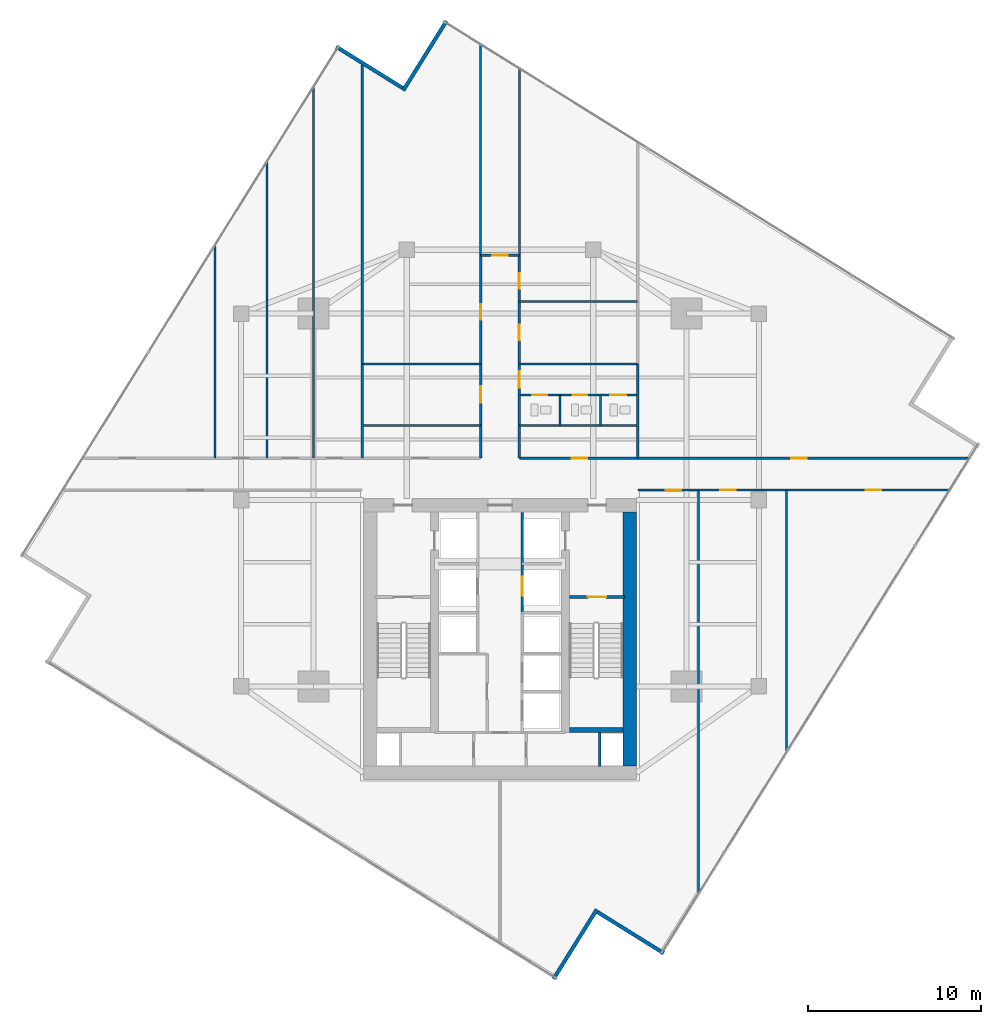
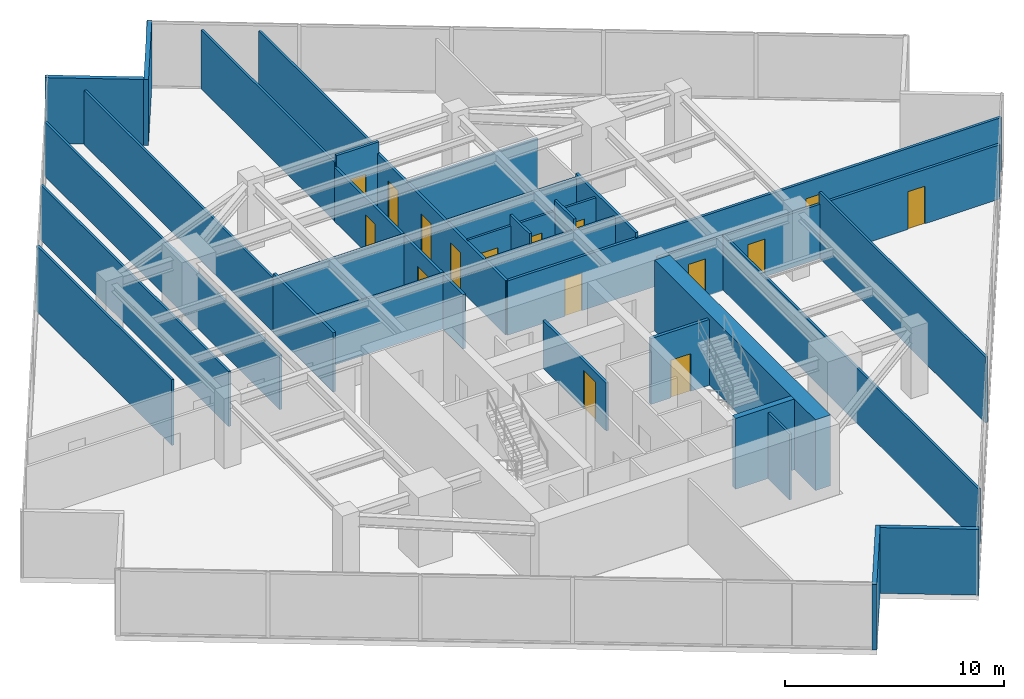
# One storey, part 22 of 26: 32 walls, 16 doors, 16 openings.
"""IFC4 building model written with IfcOpenShell, lengths in metres."""

import ifcopenshell
import ifcopenshell.guid

model = None  # the IFC model being written
_history = None  # IfcOwnerHistory: only IFC2X3 demands one
_inside = {}  # id of a spatial element -> (the spatial element, [elements in it])
_under = {}  # id of a project, library or spatial element -> (it, [spatial elements below it])
_declared = {}  # id of a project -> (the project, [libraries it declares])
_typed = {}  # id of a type object -> (the type object, [elements of that type])
_made_of = {}  # id of a material, layer set ... -> (it, [elements and type objects made of it])


def new_model(schema):
    """Start an empty IFC model of exactly this schema.

    Asked for "IFC4X3", IfcOpenShell would pick the latest addendum, in which some entities
    have other attributes; the version numbers below select the first issue.
    IFC2X3 requires an IfcOwnerHistory on every rooted entity: one is made here for all.
    """
    global model, _history
    if schema == "IFC4X3":
        model = ifcopenshell.file(schema_version=(4, 3, 0, 0))
    else:
        model = ifcopenshell.file(schema=schema)
    _inside.clear()
    _under.clear()
    _declared.clear()
    _typed.clear()
    _made_of.clear()
    _history = None
    if model.schema == "IFC2X3":
        org = make("IfcOrganization", Name="unknown")
        user = make(
            "IfcPersonAndOrganization",
            ThePerson=make("IfcPerson", FamilyName="unknown"),
            TheOrganization=org,
        )
        app = make(
            "IfcApplication",
            ApplicationDeveloper=org,
            Version="unknown",
            ApplicationFullName="unknown",
            ApplicationIdentifier="unknown",
        )
        _history = make(
            "IfcOwnerHistory",
            OwningUser=user,
            OwningApplication=app,
            ChangeAction="ADDED",
            CreationDate=0,
        )
    return model


def make(cls, **values):
    """One entity of the class cls with the attributes given. An attribute that is None is left unset."""
    return model.create_entity(
        cls, **{name: value for name, value in values.items() if value is not None}
    )


def rooted(cls, **values):
    """An entity with a GlobalId (a new one), such as an element, a storey or a relation."""
    return make(cls, GlobalId=ifcopenshell.guid.new(), OwnerHistory=_history, **values)


def si_unit(unit_type, name, prefix=None):
    """IfcSIUnit, for example si_unit("LENGTHUNIT", "METRE", prefix="MILLI")."""
    return make("IfcSIUnit", UnitType=unit_type, Prefix=prefix, Name=name)


def assignment(units):
    """IfcUnitAssignment: the units of a project."""
    return None if units is None else make("IfcUnitAssignment", Units=units)


def point(xyz):
    """IfcCartesianPoint."""
    return None if xyz is None else make("IfcCartesianPoint", Coordinates=xyz)


def direction(xyz):
    """IfcDirection."""
    return None if xyz is None else make("IfcDirection", DirectionRatios=xyz)


def frame(location, z_axis=None, x_axis=None):
    """IfcAxis2Placement3D, a coordinate frame: its origin and axes. An axis left out is left unset."""
    return make(
        "IfcAxis2Placement3D",
        Location=point(location),
        Axis=direction(z_axis),
        RefDirection=direction(x_axis),
    )


def frame_2d(location, x_axis=None):
    """IfcAxis2Placement2D, a coordinate frame in the plane: its origin and x axis."""
    return make(
        "IfcAxis2Placement2D", Location=point(location), RefDirection=direction(x_axis)
    )


def origin():
    """The frame at (0, 0, 0) with its axes left unset."""
    return frame((0.0, 0.0, 0.0))


def place(relative_to, where):
    """IfcLocalPlacement: puts the frame where relative to a parent placement (None: the world)."""
    return make(
        "IfcLocalPlacement", PlacementRelTo=relative_to, RelativePlacement=where
    )


def context(
    kind, dimensions, precision=None, world=None, true_north=None, identifier=None
):
    """IfcGeometricRepresentationContext, for example the 3D "Model" context."""
    return make(
        "IfcGeometricRepresentationContext",
        ContextIdentifier=identifier,
        ContextType=kind,
        CoordinateSpaceDimension=dimensions,
        Precision=precision,
        WorldCoordinateSystem=world,
        TrueNorth=true_north,
    )


def subcontext(parent, identifier, kind, view, scale=None):
    """IfcGeometricRepresentationSubContext, for example "Body" below "Model"."""
    return make(
        "IfcGeometricRepresentationSubContext",
        ContextIdentifier=identifier,
        ContextType=kind,
        ParentContext=parent,
        TargetScale=scale,
        TargetView=view,
    )


def project(units=None, contexts=None):
    """IfcProject with its units and contexts."""
    return rooted(
        "IfcProject",
        Name="project",
        RepresentationContexts=contexts,
        UnitsInContext=assignment(units),
    )


def spatial(cls, under=None, at=None, **own):
    """A site, building, storey or space (cls), placed at a placement, below another one or the project."""
    s = rooted(cls, ObjectPlacement=at, **own)
    if under is not None:
        _under.setdefault(under.id(), (under, []))[1].append(s)
    return s


def profile(cls, at=None, kind="AREA", **sizes):
    """A parametric profile (cls). Its sizes go by their IFC names, for example OverallWidth=200.0."""
    return make(cls, ProfileType=kind, Position=at, **sizes)


def rectangle(**sizes):
    """IfcRectangleProfileDef."""
    return profile("IfcRectangleProfileDef", **sizes)


def extrude(swept, where, along, depth):
    """IfcExtrudedAreaSolid: the profile swept, set in the frame where, extruded along a direction by depth."""
    return make(
        "IfcExtrudedAreaSolid",
        SweptArea=swept,
        Position=where,
        ExtrudedDirection=direction(along),
        Depth=depth,
    )


def shape(context_of_items, identifier, shape_type, items):
    """IfcShapeRepresentation: the items that make up one representation, for example the "Body"."""
    return make(
        "IfcShapeRepresentation",
        ContextOfItems=context_of_items,
        RepresentationIdentifier=identifier,
        RepresentationType=shape_type,
        Items=items,
    )


def material(Name=None, Category=None):
    """IfcMaterial."""
    return make("IfcMaterial", Name=Name, Category=Category)


def layer(
    of_material, thickness, ventilated=None, Name=None, Category=None, Priority=None
):
    """IfcMaterialLayer: one layer of a wall or slab, of a material (None: an air gap)."""
    return make(
        "IfcMaterialLayer",
        Material=of_material,
        LayerThickness=thickness,
        IsVentilated=ventilated,
        Name=Name,
        Category=Category,
        Priority=Priority,
    )


def layer_set(layers, Name=None):
    """IfcMaterialLayerSet."""
    return make("IfcMaterialLayerSet", MaterialLayers=layers, LayerSetName=Name)


def made_of(thing, what):
    """Note that an element or type object is made of a material, layer set ...; save() writes the relation."""
    if what is not None:
        _made_of.setdefault(what.id(), (what, []))[1].append(thing)
    return thing


def type_object(cls, material=None, **own):
    """A type object (cls), such as IfcWallType, which elements share."""
    return made_of(rooted(cls, **own), material)


def element(
    cls,
    number,
    at=None,
    inside=None,
    cuts=None,
    type_object=None,
    material=None,
    context=None,
    identifier="Body",
    shape_type=None,
    held_by="IfcProductDefinitionShape",
    body=None,
    shapes=None,
    **own,
):
    """One element of the class cls, such as IfcWall. Its Tag is "e" and its number.

    at: its placement. inside: the storey or other place that contains it. cuts: it is an
    opening in that element (IfcRelVoidsElement). A single representation is given by context,
    identifier, shape_type and body (its items); several are given by shapes. held_by: the class
    of the entity that holds the representations. save() writes the other relations.
    """
    e = rooted(cls, Tag="e%d" % number, ObjectPlacement=at, **own)
    if body is not None:
        shapes = [shape(context, identifier, shape_type, body)]
    if shapes is not None:
        e.Representation = make(held_by, Representations=shapes)
    if inside is not None:
        _inside.setdefault(inside.id(), (inside, []))[1].append(e)
    if cuts is not None:
        rooted(
            "IfcRelVoidsElement", RelatingBuildingElement=cuts, RelatedOpeningElement=e
        )
    if type_object is not None:
        _typed.setdefault(type_object.id(), (type_object, []))[1].append(e)
    return made_of(e, material)


def fill(opening, filler):
    """IfcRelFillsElement: the door or window that sits in an opening."""
    return rooted(
        "IfcRelFillsElement",
        RelatingOpeningElement=opening,
        RelatedBuildingElement=filler,
    )


def aggregate(whole, parts):
    """IfcRelAggregates: a whole, such as a stair, and the parts it consists of."""
    return rooted("IfcRelAggregates", RelatingObject=whole, RelatedObjects=parts)


def save(model, path):
    """Write the relations noted so far, then the file.

    IfcRelAggregates (storeys below a building ...), IfcRelContainedInSpatialStructure (elements
    in a storey), IfcRelDefinesByType, IfcRelAssociatesMaterial and IfcRelDeclares: one each for
    every whole, place, type object, material and project.
    """
    for whole, parts in _under.values():
        aggregate(whole, parts)
    for where, things in _inside.values():
        rooted(
            "IfcRelContainedInSpatialStructure",
            RelatedElements=things,
            RelatingStructure=where,
        )
    for kind, things in _typed.values():
        rooted("IfcRelDefinesByType", RelatedObjects=things, RelatingType=kind)
    for what, things in _made_of.values():
        rooted("IfcRelAssociatesMaterial", RelatedObjects=things, RelatingMaterial=what)
    for by, libraries in _declared.values():
        rooted("IfcRelDeclares", RelatingContext=by, RelatedDefinitions=libraries)
    model.write(path)


model = new_model("IFC4")

# Units and contexts
model_context = context("Model", 3, precision=1e-05, world=origin(), true_north=direction((0.0, 1.0)))
body_context = subcontext(model_context, "Body", "Model", "MODEL_VIEW")
ifc_project = project(units=[si_unit("LENGTHUNIT", "METRE"), si_unit("AREAUNIT", "SQUARE_METRE"), si_unit("VOLUMEUNIT", "CUBIC_METRE"), si_unit("PLANEANGLEUNIT", "RADIAN"), si_unit("MASSUNIT", "GRAM", prefix="KILO")], contexts=[model_context])

# Site, building, storey
site_placement = place(None, origin())
site = spatial("IfcSite", under=ifc_project, at=site_placement, CompositionType="ELEMENT")
building_placement = place(site_placement, origin())
building = spatial("IfcBuilding", under=site, at=building_placement, Name="Krantzveldt Concourse Tower", CompositionType="ELEMENT")
storey_placement = place(building_placement, frame((0.0, 0.0, 173.85009765625)))
storey = spatial("IfcBuildingStorey", under=building, at=storey_placement, Name="L42", CompositionType="ELEMENT", Elevation=173.85009765625)

# Walls
ifc_material_1 = material(Name="Anodised aluminium 6063-T6", Category="aluminium")
ifc_layer_1 = layer(ifc_material_1, 0.219970703125, Name="Anodised aluminium 6063-T6", Category="aluminium")
ifc_layer_set_1 = layer_set([ifc_layer_1], Name="Anodised aluminium 6063-T6 (WL-EXT-NOTCH220)")
wall_type_1 = type_object("IfcWallType", Name="WL-EXT-NOTCH220", PredefinedType="ELEMENTEDWALL", material=ifc_layer_set_1)
wall_1_placement = place(storey_placement, frame((30.354248046875, 50.571044921875, 0.0), z_axis=(0.0, 0.0, 1.0), x_axis=(-0.849196398465, 0.528077150456, 0.0)))
element("IfcWall", 1, at=wall_1_placement, inside=storey, type_object=wall_type_1, Name="EW-L42-NCH00", PredefinedType="ELEMENTEDWALL", context=body_context, shape_type="SweptSolid", body=[
    extrude(rectangle(XDim=4.525146484375, YDim=0.219970703125, at=frame_2d((2.2626953125, 0.0))), origin(), (0.0, 0.0, 1.0), 3.669921875),
])
wall_2_placement = place(storey_placement, frame((39.104736328125, -1.049072265625, 0.0), z_axis=(0.0, 0.0, 1.0), x_axis=(0.528087569346, 0.849189919336, 0.0)))
element("IfcWall", 2, at=wall_2_placement, inside=storey, type_object=wall_type_1, Name="EW-L42-NCH05", PredefinedType="ELEMENTEDWALL", context=body_context, shape_type="SweptSolid", body=[
    extrude(rectangle(XDim=4.7451171875, YDim=0.219970703125, at=frame_2d((2.37255859375, 0.0))), origin(), (0.0, 0.0, 1.0), 3.669921875),
])
wall_3_placement = place(storey_placement, frame((41.645751953125, 2.828857421875, 0.0), z_axis=(0.0, 0.0, 1.0), x_axis=(0.849220592333, -0.528038242514, 0.0)))
element("IfcWall", 3, at=wall_3_placement, inside=storey, type_object=wall_type_1, Name="EW-L42-NCH06", PredefinedType="ELEMENTEDWALL", context=body_context, shape_type="SweptSolid", body=[
    extrude(rectangle(XDim=4.525146484375, YDim=0.219970703125, at=frame_2d((2.2626953125, 0.0))), origin(), (0.0, 0.0, 1.0), 3.669921875),
])
wall_4_placement = place(storey_placement, frame((32.895263671875, 54.448974609375, 0.0), z_axis=(0.0, 0.0, 1.0), x_axis=(-0.528110642948, -0.849175570071, 0.0)))
element("IfcWall", 4, at=wall_4_placement, inside=storey, type_object=wall_type_1, Name="EW-L42-NCH11", PredefinedType="ELEMENTEDWALL", context=body_context, shape_type="SweptSolid", body=[
    extrude(rectangle(XDim=4.744873046875, YDim=0.219970703125, at=frame_2d((2.37255859375, 0.0))), origin(), (0.0, 0.0, 1.0), 3.669921875),
])
ifc_material_2 = material(Name="Fire-rated gypsum plasterboard on steel stud", Category="steel")
ifc_layer_2 = layer(ifc_material_2, 0.1201171875, Name="Fire-rated gypsum plasterboard on steel stud", Category="steel")
ifc_layer_set_2 = layer_set([ifc_layer_2], Name="Fire-rated gypsum plasterboard on steel stud (WL-PART-120)")
wall_type_2 = type_object("IfcWallType", Name="WL-PART-120", PredefinedType="PARTITIONING", material=ifc_layer_set_2)
for number, where, z_axis, x_axis, name in (
    (5, (28.02001953125, 31.02001953125, 0.0), (0.0, 0.0, 1.0), (1.0, 0.0, 0.0), "WP-L42-ISML"),
    (6, (37.1201171875, 31.02001953125, 0.0), (0.0, 0.0, 1.0), (1.0, 0.0, 0.0), "WP-L42-ISMR"),
):
    element("IfcWall", number, at=place(storey_placement, frame(where, z_axis=z_axis, x_axis=x_axis)), inside=storey, type_object=wall_type_2, Name=name, PredefinedType="PARTITIONING", context=body_context, shape_type="SweptSolid", body=[
        extrude(rectangle(XDim=6.85986328125, YDim=0.1201171875, at=frame_2d((3.429931640625, 0.0))), origin(), (0.0, 0.0, 1.0), 3.079833984375),
    ])

# Wall, openings, doors
wall_5_placement = place(storey_placement, frame((37.14990234375, 32.780029296875, 0.0), z_axis=(0.0, 0.0, 1.0), x_axis=(1.0, 0.0, 0.0)))
wall_5 = element("IfcWall", 7, at=wall_5_placement, inside=storey, type_object=wall_type_2, Name="WP-L42-WCHDR", PredefinedType="PARTITIONING", context=body_context, shape_type="SweptSolid", body=[
    extrude(rectangle(XDim=6.800048828125, YDim=0.1201171875, at=frame_2d((3.39990234375, 0.0))), origin(), (0.0, 0.0, 1.0), 3.079833984375),
])
opening_1_placement = place(wall_5_placement, frame((0.72509765625, 0.0, 0.0)))
opening_1 = element("IfcOpeningElement", 8, at=opening_1_placement, cuts=wall_5, Name="Opening D-IN085", PredefinedType="OPENING", context=body_context, shape_type="SweptSolid", body=[
    extrude(rectangle(XDim=0.85009765625, YDim=2.10009765625, at=frame_2d((0.425048828125, 1.050048828125))), frame((0.0, 0.070068359375, 0.0), z_axis=(0.0, -1.0, 0.0), x_axis=(1.0, 0.0, 0.0)), (0.0, 0.0, 1.0), 0.14013671875),
])
opening_2_placement = place(wall_5_placement, frame((3.06494140625, 0.0, 0.0)))
opening_2 = element("IfcOpeningElement", 9, at=opening_2_placement, cuts=wall_5, Name="Opening D-IN085", PredefinedType="OPENING", context=body_context, shape_type="SweptSolid", body=[
    extrude(rectangle(XDim=0.85009765625, YDim=2.10009765625, at=frame_2d((0.425048828125, 1.050048828125))), frame((0.0, 0.070068359375, 0.0), z_axis=(0.0, -1.0, 0.0), x_axis=(1.0, 0.0, 0.0)), (0.0, 0.0, 1.0), 0.14013671875),
])
opening_3_placement = place(wall_5_placement, frame((5.25, 0.0, 0.0)))
opening_3 = element("IfcOpeningElement", 10, at=opening_3_placement, cuts=wall_5, Name="Opening D-IN090", PredefinedType="OPENING", context=body_context, shape_type="SweptSolid", body=[
    extrude(rectangle(XDim=0.89990234375, YDim=2.10009765625, at=frame_2d((0.449951171875, 1.050048828125))), frame((0.0, 0.070068359375, 0.0), z_axis=(0.0, -1.0, 0.0), x_axis=(1.0, 0.0, 0.0)), (0.0, 0.0, 1.0), 0.14013671875),
])
ifc_material_3 = material(Name="Hardwood timber", Category="wood")
door_type_1 = type_object("IfcDoorType", Name="DR-INT-850", OperationType="SINGLE_SWING_LEFT", PredefinedType="DOOR", material=ifc_material_3)
door_1_placement = place(opening_1_placement, origin())
door_1 = element("IfcDoor", 11, at=door_1_placement, inside=storey, type_object=door_type_1, Name="DR-L42-WCM", OperationType="SINGLE_SWING_LEFT", OverallHeight=2.10009765625, OverallWidth=0.85009765625, PredefinedType="DOOR", context=body_context, shape_type="SweptSolid", body=[
    extrude(rectangle(XDim=0.85009765625, YDim=2.10009765625, at=frame_2d((0.425048828125, 1.050048828125))), frame((0.0, 0.02490234375, 0.0), z_axis=(0.0, -1.0, 0.0), x_axis=(1.0, 0.0, 0.0)), (0.0, 0.0, 1.0), 0.050048828125),
])
fill(opening_1, door_1)
door_2_placement = place(opening_2_placement, origin())
door_2 = element("IfcDoor", 12, at=door_2_placement, inside=storey, type_object=door_type_1, Name="DR-L42-WCF", OperationType="SINGLE_SWING_RIGHT", OverallHeight=2.10009765625, OverallWidth=0.85009765625, PredefinedType="DOOR", context=body_context, shape_type="SweptSolid", body=[
    extrude(rectangle(XDim=0.85009765625, YDim=2.10009765625, at=frame_2d((0.425048828125, 1.050048828125))), frame((0.0, 0.02490234375, 0.0), z_axis=(0.0, -1.0, 0.0), x_axis=(1.0, 0.0, 0.0)), (0.0, 0.0, 1.0), 0.050048828125),
])
fill(opening_2, door_2)
door_type_2 = type_object("IfcDoorType", Name="DR-INT-900", OperationType="SINGLE_SWING_LEFT", PredefinedType="DOOR", material=ifc_material_3)
door_3_placement = place(opening_3_placement, origin())
door_3 = element("IfcDoor", 13, at=door_3_placement, inside=storey, type_object=door_type_2, Name="DR-L42-WCA", OperationType="SINGLE_SWING_LEFT", OverallHeight=2.10009765625, OverallWidth=0.89990234375, PredefinedType="DOOR", context=body_context, shape_type="SweptSolid", body=[
    extrude(rectangle(XDim=0.89990234375, YDim=2.10009765625, at=frame_2d((0.449951171875, 1.050048828125))), frame((0.0, 0.02490234375, 0.0), z_axis=(0.0, -1.0, 0.0), x_axis=(1.0, 0.0, 0.0)), (0.0, 0.0, 1.0), 0.050048828125),
])
fill(opening_3, door_3)

# Walls
for number, where, z_axis, x_axis, name in (
    (14, (39.469970703125, 31.02001953125, 0.0), (0.0, 0.0, 1.0), (0.0, 1.0, 0.0), "WP-L42-WCD1"),
    (15, (41.81005859375, 31.02001953125, 0.0), (0.0, 0.0, 1.0), (0.0, 1.0, 0.0), "WP-L42-WCD2"),
):
    element("IfcWall", number, at=place(storey_placement, frame(where, z_axis=z_axis, x_axis=x_axis)), inside=storey, type_object=wall_type_2, Name=name, PredefinedType="PARTITIONING", context=body_context, shape_type="SweptSolid", body=[
        extrude(rectangle(XDim=1.760009765625, YDim=0.1201171875, at=frame_2d((0.8798828125, 0.0))), origin(), (0.0, 0.0, 1.0), 3.669921875),
    ])
wall_6_placement = place(storey_placement, frame((34.8798828125, 40.8798828125, 0.0), z_axis=(0.0, 0.0, 1.0), x_axis=(0.0, 1.0, 0.0)))
element("IfcWall", 16, at=wall_6_placement, inside=storey, type_object=wall_type_2, Name="WP-L42-NTL", PredefinedType="PARTITIONING", context=body_context, shape_type="SweptSolid", body=[
    extrude(rectangle(XDim=12.199462890625, YDim=0.1201171875, at=frame_2d((6.099609375, 0.0))), origin(), (0.0, 0.0, 1.0), 3.27978515625),
])
wall_7_placement = place(storey_placement, frame((37.1201171875, 40.8798828125, 0.0), z_axis=(0.0, 0.0, 1.0), x_axis=(0.0, 1.0, 0.0)))
element("IfcWall", 17, at=wall_7_placement, inside=storey, type_object=wall_type_2, Name="WP-L42-NTR", PredefinedType="PARTITIONING", context=body_context, shape_type="SweptSolid", body=[
    extrude(rectangle(XDim=10.806640625, YDim=0.1201171875, at=frame_2d((5.4033203125, 0.0))), origin(), (0.0, 0.0, 1.0), 3.27978515625),
])
wall_8_placement = place(storey_placement, frame((19.5, 29.1201171875, 0.0), z_axis=(0.0, 0.0, 1.0), x_axis=(0.0, 1.0, 0.0)))
element("IfcWall", 18, at=wall_8_placement, inside=storey, type_object=wall_type_2, Name="WP-L42-NWX1", PredefinedType="PARTITIONING", context=body_context, shape_type="SweptSolid", body=[
    extrude(rectangle(XDim=12.34716796875, YDim=0.1201171875, at=frame_2d((6.173583984375, 0.0))), origin(), (0.0, 0.0, 1.0), 3.669921875),
])
wall_9_placement = place(storey_placement, frame((22.5, 29.1201171875, 0.0), z_axis=(0.0, 0.0, 1.0), x_axis=(0.0, 1.0, 0.0)))
element("IfcWall", 19, at=wall_9_placement, inside=storey, type_object=wall_type_2, Name="WP-L42-NWX2", PredefinedType="PARTITIONING", context=body_context, shape_type="SweptSolid", body=[
    extrude(rectangle(XDim=17.171630859375, YDim=0.1201171875, at=frame_2d((8.5859375, 0.0))), origin(), (0.0, 0.0, 1.0), 3.079833984375),
])
wall_10_placement = place(storey_placement, frame((25.199951171875, 29.1201171875, 0.0), z_axis=(0.0, 0.0, 1.0), x_axis=(0.0, 1.0, 0.0)))
element("IfcWall", 20, at=wall_10_placement, inside=storey, type_object=wall_type_2, Name="WP-L42-NWX3", PredefinedType="PARTITIONING", context=body_context, shape_type="SweptSolid", body=[
    extrude(rectangle(XDim=21.513671875, YDim=0.1201171875, at=frame_2d((10.7568359375, 0.0))), origin(), (0.0, 0.0, 1.0), 3.02978515625),
])
wall_11_placement = place(storey_placement, frame((28.02001953125, 34.580078125, 0.0), z_axis=(0.0, 0.0, 1.0), x_axis=(0.0, 1.0, 0.0)))
element("IfcWall", 21, at=wall_11_placement, inside=storey, type_object=wall_type_2, Name="WP-L42-ISWL2", PredefinedType="PARTITIONING", context=body_context, shape_type="SweptSolid", body=[
    extrude(rectangle(XDim=17.30712890625, YDim=0.1201171875, at=frame_2d((8.653564453125, 0.0))), origin(), (0.0, 0.0, 1.0), 3.02978515625),
])
wall_12_placement = place(storey_placement, frame((37.1201171875, 38.199951171875, 0.0), z_axis=(0.0, 0.0, 1.0), x_axis=(1.0, 0.0, 0.0)))
element("IfcWall", 22, at=wall_12_placement, inside=storey, type_object=wall_type_2, Name="WP-L42-NEIY", PredefinedType="PARTITIONING", context=body_context, shape_type="SweptSolid", body=[
    extrude(rectangle(XDim=6.85986328125, YDim=0.1201171875, at=frame_2d((3.429931640625, 0.0))), origin(), (0.0, 0.0, 1.0), 3.079833984375),
])
wall_13_placement = place(storey_placement, frame((47.5, 3.89208984375, 0.0), z_axis=(0.0, 0.0, 1.0), x_axis=(0.0, 1.0, 0.0)))
element("IfcWall", 23, at=wall_13_placement, inside=storey, type_object=wall_type_2, Name="WP-L42-SEX1", PredefinedType="PARTITIONING", context=body_context, shape_type="SweptSolid", body=[
    extrude(rectangle(XDim=23.387939453125, YDim=0.1201171875, at=frame_2d((11.69384765625, 0.0))), origin(), (0.0, 0.0, 1.0), 3.079833984375),
])
wall_14_placement = place(storey_placement, frame((52.60009765625, 12.093505859375, 0.0), z_axis=(0.0, 0.0, 1.0), x_axis=(0.0, 1.0, 0.0)))
element("IfcWall", 24, at=wall_14_placement, inside=storey, type_object=wall_type_2, Name="WP-L42-SEX2", PredefinedType="PARTITIONING", context=body_context, shape_type="SweptSolid", body=[
    extrude(rectangle(XDim=15.1865234375, YDim=0.1201171875, at=frame_2d((7.59326171875, 0.0))), origin(), (0.0, 0.0, 1.0), 3.669921875),
])

# Wall, openings, doors
ifc_layer_3 = layer(ifc_material_2, 0.139892578125, Name="Fire-rated gypsum plasterboard on steel stud", Category="steel")
ifc_layer_set_3 = layer_set([ifc_layer_3], Name="Fire-rated gypsum plasterboard on steel stud (WL-PART-140)")
wall_type_3 = type_object("IfcWallType", Name="WL-PART-140", PredefinedType="PARTITIONING", material=ifc_layer_set_3)
wall_15_placement = place(storey_placement, frame((34.8798828125, 29.1201171875, 0.0), z_axis=(0.0, 0.0, 1.0), x_axis=(0.0, 1.0, 0.0)))
wall_15 = element("IfcWall", 25, at=wall_15_placement, inside=storey, type_object=wall_type_3, Name="WP-L42-SPWL", PredefinedType="PARTITIONING", context=body_context, shape_type="SweptSolid", body=[
    extrude(rectangle(XDim=11.759765625, YDim=0.139892578125, at=frame_2d((5.8798828125, 0.0))), origin(), (0.0, 0.0, 1.0), 3.02978515625),
])
opening_4_placement = place(wall_15_placement, frame((3.205078125, 0.0, 0.0)))
opening_4 = element("IfcOpeningElement", 26, at=opening_4_placement, cuts=wall_15, Name="Opening D-IN095", PredefinedType="OPENING", context=body_context, shape_type="SweptSolid", body=[
    extrude(rectangle(XDim=0.949951171875, YDim=2.10009765625, at=frame_2d((0.47509765625, 1.050048828125))), frame((0.0, 0.080078125, 0.0), z_axis=(0.0, -1.0, 0.0), x_axis=(1.0, 0.0, 0.0)), (0.0, 0.0, 1.0), 0.159912109375),
])
opening_5_placement = place(wall_15_placement, frame((8.02001953125, 0.0, 0.0)))
opening_5 = element("IfcOpeningElement", 27, at=opening_5_placement, cuts=wall_15, Name="Opening D-IN090", PredefinedType="OPENING", context=body_context, shape_type="SweptSolid", body=[
    extrude(rectangle(XDim=0.89990234375, YDim=2.10009765625, at=frame_2d((0.449951171875, 1.050048828125))), frame((0.0, 0.080078125, 0.0), z_axis=(0.0, -1.0, 0.0), x_axis=(1.0, 0.0, 0.0)), (0.0, 0.0, 1.0), 0.159912109375),
])
door_4_placement = place(opening_5_placement, origin())
door_4 = element("IfcDoor", 28, at=door_4_placement, inside=storey, type_object=door_type_2, Name="DR-L42-NWI1", OperationType="SINGLE_SWING_LEFT", OverallHeight=2.10009765625, OverallWidth=0.89990234375, PredefinedType="DOOR", context=body_context, shape_type="SweptSolid", body=[
    extrude(rectangle(XDim=0.89990234375, YDim=2.10009765625, at=frame_2d((0.449951171875, 1.050048828125))), frame((0.0, 0.02490234375, 0.0), z_axis=(0.0, -1.0, 0.0), x_axis=(1.0, 0.0, 0.0)), (0.0, 0.0, 1.0), 0.050048828125),
])
fill(opening_5, door_4)
door_type_3 = type_object("IfcDoorType", Name="DR-INT-950", OperationType="SINGLE_SWING_LEFT", PredefinedType="DOOR", material=ifc_material_3)
door_5_placement = place(opening_4_placement, origin())
door_5 = element("IfcDoor", 29, at=door_5_placement, inside=storey, type_object=door_type_3, Name="DR-L42-PNT", OperationType="SINGLE_SWING_RIGHT", OverallHeight=2.10009765625, OverallWidth=0.949951171875, PredefinedType="DOOR", context=body_context, shape_type="SweptSolid", body=[
    extrude(rectangle(XDim=0.949951171875, YDim=2.10009765625, at=frame_2d((0.47509765625, 1.050048828125))), frame((0.0, 0.02490234375, 0.0), z_axis=(0.0, -1.0, 0.0), x_axis=(1.0, 0.0, 0.0)), (0.0, 0.0, 1.0), 0.050048828125),
])
fill(opening_4, door_5)

wall_16_placement = place(storey_placement, frame((37.1201171875, 29.1201171875, 0.0), z_axis=(0.0, 0.0, 1.0), x_axis=(0.0, 1.0, 0.0)))
wall_16 = element("IfcWall", 30, at=wall_16_placement, inside=storey, type_object=wall_type_3, Name="WP-L42-SPER", PredefinedType="PARTITIONING", context=body_context, shape_type="SweptSolid", body=[
    extrude(rectangle(XDim=11.759765625, YDim=0.139892578125, at=frame_2d((5.8798828125, 0.0))), origin(), (0.0, 0.0, 1.0), 3.02978515625),
])
opening_6_placement = place(wall_16_placement, frame((4.0849609375, 0.0, 0.0)))
opening_6 = element("IfcOpeningElement", 31, at=opening_6_placement, cuts=wall_16, Name="Opening D-IN095", PredefinedType="OPENING", context=body_context, shape_type="SweptSolid", body=[
    extrude(rectangle(XDim=0.949951171875, YDim=2.10009765625, at=frame_2d((0.47509765625, 1.050048828125))), frame((0.0, 0.080078125, 0.0), z_axis=(0.0, -1.0, 0.0), x_axis=(1.0, 0.0, 0.0)), (0.0, 0.0, 1.0), 0.159912109375),
])
opening_7_placement = place(wall_16_placement, frame((6.820068359375, 0.0, 0.0)))
opening_7 = element("IfcOpeningElement", 32, at=opening_7_placement, cuts=wall_16, Name="Opening D-IN090", PredefinedType="OPENING", context=body_context, shape_type="SweptSolid", body=[
    extrude(rectangle(XDim=0.89990234375, YDim=2.10009765625, at=frame_2d((0.449951171875, 1.050048828125))), frame((0.0, 0.080078125, 0.0), z_axis=(0.0, -1.0, 0.0), x_axis=(1.0, 0.0, 0.0)), (0.0, 0.0, 1.0), 0.159912109375),
])
opening_8_placement = place(wall_16_placement, frame((9.830078125, 0.0, 0.0)))
opening_8 = element("IfcOpeningElement", 33, at=opening_8_placement, cuts=wall_16, Name="Opening D-IN090", PredefinedType="OPENING", context=body_context, shape_type="SweptSolid", body=[
    extrude(rectangle(XDim=0.89990234375, YDim=2.10009765625, at=frame_2d((0.449951171875, 1.050048828125))), frame((0.0, 0.080078125, 0.0), z_axis=(0.0, -1.0, 0.0), x_axis=(1.0, 0.0, 0.0)), (0.0, 0.0, 1.0), 0.159912109375),
])
door_6_placement = place(opening_7_placement, origin())
door_6 = element("IfcDoor", 34, at=door_6_placement, inside=storey, type_object=door_type_2, Name="DR-L42-NEI1", OperationType="SINGLE_SWING_LEFT", OverallHeight=2.10009765625, OverallWidth=0.89990234375, PredefinedType="DOOR", context=body_context, shape_type="SweptSolid", body=[
    extrude(rectangle(XDim=0.89990234375, YDim=2.10009765625, at=frame_2d((0.449951171875, 1.050048828125))), frame((0.0, 0.02490234375, 0.0), z_axis=(0.0, -1.0, 0.0), x_axis=(1.0, 0.0, 0.0)), (0.0, 0.0, 1.0), 0.050048828125),
])
fill(opening_7, door_6)
door_7_placement = place(opening_8_placement, origin())
door_7 = element("IfcDoor", 35, at=door_7_placement, inside=storey, type_object=door_type_2, Name="DR-L42-NEI2", OperationType="SINGLE_SWING_LEFT", OverallHeight=2.10009765625, OverallWidth=0.89990234375, PredefinedType="DOOR", context=body_context, shape_type="SweptSolid", body=[
    extrude(rectangle(XDim=0.89990234375, YDim=2.10009765625, at=frame_2d((0.449951171875, 1.050048828125))), frame((0.0, 0.02490234375, 0.0), z_axis=(0.0, -1.0, 0.0), x_axis=(1.0, 0.0, 0.0)), (0.0, 0.0, 1.0), 0.050048828125),
])
fill(opening_8, door_7)
door_8_placement = place(opening_6_placement, origin())
door_8 = element("IfcDoor", 36, at=door_8_placement, inside=storey, type_object=door_type_3, Name="DR-L42-WCLB", OperationType="SINGLE_SWING_LEFT", OverallHeight=2.10009765625, OverallWidth=0.949951171875, PredefinedType="DOOR", context=body_context, shape_type="SweptSolid", body=[
    extrude(rectangle(XDim=0.949951171875, YDim=2.10009765625, at=frame_2d((0.47509765625, 1.050048828125))), frame((0.0, 0.02490234375, 0.0), z_axis=(0.0, -1.0, 0.0), x_axis=(1.0, 0.0, 0.0)), (0.0, 0.0, 1.0), 0.050048828125),
])
fill(opening_6, door_8)

# Wall, opening, door
wall_17_placement = place(storey_placement, frame((34.8798828125, 40.8798828125, 0.0), z_axis=(0.0, 0.0, 1.0), x_axis=(1.0, 0.0, 0.0)))
wall_17 = element("IfcWall", 37, at=wall_17_placement, inside=storey, type_object=wall_type_3, Name="WP-L42-SPTOP", PredefinedType="PARTITIONING", context=body_context, shape_type="SweptSolid", body=[
    extrude(rectangle(XDim=2.240234375, YDim=0.139892578125, at=frame_2d((1.1201171875, 0.0))), origin(), (0.0, 0.0, 1.0), 3.669921875),
])
opening_9_placement = place(wall_17_placement, frame((0.669921875, 0.0, 0.0)))
opening_9 = element("IfcOpeningElement", 38, at=opening_9_placement, cuts=wall_17, Name="Opening D-IN090", PredefinedType="OPENING", context=body_context, shape_type="SweptSolid", body=[
    extrude(rectangle(XDim=0.89990234375, YDim=2.10009765625, at=frame_2d((0.449951171875, 1.050048828125))), frame((0.0, 0.080078125, 0.0), z_axis=(0.0, -1.0, 0.0), x_axis=(1.0, 0.0, 0.0)), (0.0, 0.0, 1.0), 0.159912109375),
])
door_9_placement = place(opening_9_placement, origin())
door_9 = element("IfcDoor", 39, at=door_9_placement, inside=storey, type_object=door_type_2, Name="DR-L42-NTOP", OperationType="SINGLE_SWING_LEFT", OverallHeight=2.10009765625, OverallWidth=0.89990234375, PredefinedType="DOOR", context=body_context, shape_type="SweptSolid", body=[
    extrude(rectangle(XDim=0.89990234375, YDim=2.10009765625, at=frame_2d((0.449951171875, 1.050048828125))), frame((0.0, 0.02490234375, 0.0), z_axis=(0.0, -1.0, 0.0), x_axis=(1.0, 0.0, 0.0)), (0.0, 0.0, 1.0), 0.050048828125),
])
fill(opening_9, door_9)

# Wall, openings, doors
wall_18_placement = place(storey_placement, frame((37.1201171875, 29.1201171875, 0.0), z_axis=(0.0, 0.0, 1.0), x_axis=(1.0, 0.0, 0.0)))
wall_18 = element("IfcWall", 40, at=wall_18_placement, inside=storey, type_object=wall_type_3, Name="WP-L42-EWNR", PredefinedType="PARTITIONING", context=body_context, shape_type="SweptSolid", body=[
    extrude(rectangle(XDim=26.067626953125, YDim=0.139892578125, at=frame_2d((13.03369140625, 0.0))), origin(), (0.0, 0.0, 1.0), 3.02978515625),
])
opening_10_placement = place(wall_18_placement, frame((3.030029296875, 0.0, 0.0)))
opening_10 = element("IfcOpeningElement", 41, at=opening_10_placement, cuts=wall_18, Name="Opening D-IN090", PredefinedType="OPENING", context=body_context, shape_type="SweptSolid", body=[
    extrude(rectangle(XDim=0.89990234375, YDim=2.10009765625, at=frame_2d((0.449951171875, 1.050048828125))), frame((0.0, 0.080078125, 0.0), z_axis=(0.0, -1.0, 0.0), x_axis=(1.0, 0.0, 0.0)), (0.0, 0.0, 1.0), 0.159912109375),
])
opening_11_placement = place(wall_18_placement, frame((15.760986328125, 0.0, 0.0)))
opening_11 = element("IfcOpeningElement", 42, at=opening_11_placement, cuts=wall_18, Name="Opening D-IN090", PredefinedType="OPENING", context=body_context, shape_type="SweptSolid", body=[
    extrude(rectangle(XDim=0.89990234375, YDim=2.10009765625, at=frame_2d((0.449951171875, 1.050048828125))), frame((0.0, 0.080078125, 0.0), z_axis=(0.0, -1.0, 0.0), x_axis=(1.0, 0.0, 0.0)), (0.0, 0.0, 1.0), 0.159912109375),
])
door_10_placement = place(opening_10_placement, origin())
door_10 = element("IfcDoor", 43, at=door_10_placement, inside=storey, type_object=door_type_2, Name="DR-L42-ALCR", OperationType="SINGLE_SWING_RIGHT", OverallHeight=2.10009765625, OverallWidth=0.89990234375, PredefinedType="DOOR", context=body_context, shape_type="SweptSolid", body=[
    extrude(rectangle(XDim=0.89990234375, YDim=2.10009765625, at=frame_2d((0.449951171875, 1.050048828125))), frame((0.0, 0.02490234375, 0.0), z_axis=(0.0, -1.0, 0.0), x_axis=(1.0, 0.0, 0.0)), (0.0, 0.0, 1.0), 0.050048828125),
])
fill(opening_10, door_10)
door_11_placement = place(opening_11_placement, origin())
door_11 = element("IfcDoor", 44, at=door_11_placement, inside=storey, type_object=door_type_2, Name="DR-L42-NEX1", OperationType="SINGLE_SWING_RIGHT", OverallHeight=2.10009765625, OverallWidth=0.89990234375, PredefinedType="DOOR", context=body_context, shape_type="SweptSolid", body=[
    extrude(rectangle(XDim=0.89990234375, YDim=2.10009765625, at=frame_2d((0.449951171875, 1.050048828125))), frame((0.0, 0.02490234375, 0.0), z_axis=(0.0, -1.0, 0.0), x_axis=(1.0, 0.0, 0.0)), (0.0, 0.0, 1.0), 0.050048828125),
])
fill(opening_11, door_11)

wall_19_placement = place(storey_placement, frame((44.0, 27.280029296875, 0.0), z_axis=(0.0, 0.0, 1.0), x_axis=(1.0, 0.0, 0.0)))
wall_19 = element("IfcWall", 45, at=wall_19_placement, inside=storey, type_object=wall_type_3, Name="WP-L42-EWSR", PredefinedType="PARTITIONING", context=body_context, shape_type="SweptSolid", body=[
    extrude(rectangle(XDim=18.043701171875, YDim=0.139892578125, at=frame_2d((9.02197265625, 0.0))), origin(), (0.0, 0.0, 1.0), 3.02978515625),
])
opening_12_placement = place(wall_19_placement, frame((1.60009765625, 0.0, 0.0)))
opening_12 = element("IfcOpeningElement", 46, at=opening_12_placement, cuts=wall_19, Name="Opening D-IN090", PredefinedType="OPENING", context=body_context, shape_type="SweptSolid", body=[
    extrude(rectangle(XDim=0.89990234375, YDim=2.10009765625, at=frame_2d((0.449951171875, 1.050048828125))), frame((0.0, 0.080078125, 0.0), z_axis=(0.0, -1.0, 0.0), x_axis=(1.0, 0.0, 0.0)), (0.0, 0.0, 1.0), 0.159912109375),
])
opening_13_placement = place(wall_19_placement, frame((4.75, 0.0, 0.0)))
opening_13 = element("IfcOpeningElement", 47, at=opening_13_placement, cuts=wall_19, Name="Opening D-IN090", PredefinedType="OPENING", context=body_context, shape_type="SweptSolid", body=[
    extrude(rectangle(XDim=0.89990234375, YDim=2.10009765625, at=frame_2d((0.449951171875, 1.050048828125))), frame((0.0, 0.080078125, 0.0), z_axis=(0.0, -1.0, 0.0), x_axis=(1.0, 0.0, 0.0)), (0.0, 0.0, 1.0), 0.159912109375),
])
opening_14_placement = place(wall_19_placement, frame((13.19091796875, 0.0, 0.0)))
opening_14 = element("IfcOpeningElement", 48, at=opening_14_placement, cuts=wall_19, Name="Opening D-IN090", PredefinedType="OPENING", context=body_context, shape_type="SweptSolid", body=[
    extrude(rectangle(XDim=0.89990234375, YDim=2.10009765625, at=frame_2d((0.449951171875, 1.050048828125))), frame((0.0, 0.080078125, 0.0), z_axis=(0.0, -1.0, 0.0), x_axis=(1.0, 0.0, 0.0)), (0.0, 0.0, 1.0), 0.159912109375),
])
door_12_placement = place(opening_12_placement, origin())
door_12 = element("IfcDoor", 49, at=door_12_placement, inside=storey, type_object=door_type_2, Name="DR-L42-SEX1", OperationType="SINGLE_SWING_RIGHT", OverallHeight=2.10009765625, OverallWidth=0.89990234375, PredefinedType="DOOR", context=body_context, shape_type="SweptSolid", body=[
    extrude(rectangle(XDim=0.89990234375, YDim=2.10009765625, at=frame_2d((0.449951171875, 1.050048828125))), frame((0.0, 0.02490234375, 0.0), z_axis=(0.0, -1.0, 0.0), x_axis=(1.0, 0.0, 0.0)), (0.0, 0.0, 1.0), 0.050048828125),
])
fill(opening_12, door_12)
door_13_placement = place(opening_13_placement, origin())
door_13 = element("IfcDoor", 50, at=door_13_placement, inside=storey, type_object=door_type_2, Name="DR-L42-SEX2", OperationType="SINGLE_SWING_RIGHT", OverallHeight=2.10009765625, OverallWidth=0.89990234375, PredefinedType="DOOR", context=body_context, shape_type="SweptSolid", body=[
    extrude(rectangle(XDim=0.89990234375, YDim=2.10009765625, at=frame_2d((0.449951171875, 1.050048828125))), frame((0.0, 0.02490234375, 0.0), z_axis=(0.0, -1.0, 0.0), x_axis=(1.0, 0.0, 0.0)), (0.0, 0.0, 1.0), 0.050048828125),
])
fill(opening_13, door_13)
door_14_placement = place(opening_14_placement, origin())
door_14 = element("IfcDoor", 51, at=door_14_placement, inside=storey, type_object=door_type_2, Name="DR-L42-SEX3", OperationType="SINGLE_SWING_RIGHT", OverallHeight=2.10009765625, OverallWidth=0.89990234375, PredefinedType="DOOR", context=body_context, shape_type="SweptSolid", body=[
    extrude(rectangle(XDim=0.89990234375, YDim=2.10009765625, at=frame_2d((0.449951171875, 1.050048828125))), frame((0.0, 0.02490234375, 0.0), z_axis=(0.0, -1.0, 0.0), x_axis=(1.0, 0.0, 0.0)), (0.0, 0.0, 1.0), 0.050048828125),
])
fill(opening_14, door_14)

# Walls
for number, where, z_axis, x_axis, name in (
    (52, (28.02001953125, 34.580078125, 0.0), (0.0, 0.0, 1.0), (1.0, 0.0, 0.0), "WP-L42-ISNL"),
    (53, (37.1201171875, 34.580078125, 0.0), (0.0, 0.0, 1.0), (1.0, 0.0, 0.0), "WP-L42-ISNR"),
):
    element("IfcWall", number, at=place(storey_placement, frame(where, z_axis=z_axis, x_axis=x_axis)), inside=storey, type_object=wall_type_3, Name=name, PredefinedType="PARTITIONING", context=body_context, shape_type="SweptSolid", body=[
        extrude(rectangle(XDim=6.85986328125, YDim=0.139892578125, at=frame_2d((3.429931640625, 0.0))), origin(), (0.0, 0.0, 1.0), 3.079833984375),
    ])
for number, where, z_axis, x_axis, name in (
    (54, (28.02001953125, 29.1201171875, 0.0), (0.0, 0.0, 1.0), (0.0, 1.0, 0.0), "WP-L42-ISWL"),
    (55, (43.97998046875, 29.1201171875, 0.0), (0.0, 0.0, 1.0), (0.0, 1.0, 0.0), "WP-L42-ISER"),
):
    element("IfcWall", number, at=place(storey_placement, frame(where, z_axis=z_axis, x_axis=x_axis)), inside=storey, type_object=wall_type_3, Name=name, PredefinedType="PARTITIONING", context=body_context, shape_type="SweptSolid", body=[
        extrude(rectangle(XDim=5.4599609375, YDim=0.139892578125, at=frame_2d((2.72998046875, 0.0))), origin(), (0.0, 0.0, 1.0), 3.309814453125),
    ])

# Wall, opening, door
ifc_layer_4 = layer(ifc_material_2, 0.139892578125, Name="Fire-rated gypsum plasterboard on steel stud", Category="steel")
ifc_layer_set_4 = layer_set([ifc_layer_4], Name="Fire-rated gypsum plasterboard on steel stud (WL-PART-FR140)")
wall_type_4 = type_object("IfcWallType", Name="WL-PART-FR140", PredefinedType="PARTITIONING", material=ifc_layer_set_4)
wall_20_placement = place(storey_placement, frame((37.280029296875, 20.199951171875, 0.0), z_axis=(0.0, 0.0, 1.0), x_axis=(0.0, 1.0, 0.0)))
wall_20 = element("IfcWall", 56, at=wall_20_placement, inside=storey, type_object=wall_type_4, Name="WP-L42-SHNE", PredefinedType="PARTITIONING", context=body_context, shape_type="SweptSolid", body=[
    extrude(rectangle(XDim=5.780029296875, YDim=0.139892578125, at=frame_2d((2.89013671875, 0.0))), origin(), (0.0, 0.0, 1.0), 2.669921875),
])
opening_15_placement = place(wall_20_placement, frame((0.949951171875, 0.0, 0.0)))
opening_15 = element("IfcOpeningElement", 57, at=opening_15_placement, cuts=wall_20, Name="Opening LD", PredefinedType="OPENING", context=body_context, shape_type="SweptSolid", body=[
    extrude(rectangle(XDim=1.10009765625, YDim=2.14990234375, at=frame_2d((0.550048828125, 1.074951171875))), frame((0.0, 0.080078125, 0.0), z_axis=(0.0, -1.0, 0.0), x_axis=(1.0, 0.0, 0.0)), (0.0, 0.0, 1.0), 0.159912109375),
])
ifc_material_4 = material(Name="Stainless steel 316L", Category="steel")
door_type_4 = type_object("IfcDoorType", Name="DR-SLIDE-LD1100", OperationType="DOUBLE_DOOR_SLIDING", PredefinedType="DOOR", material=ifc_material_4)
door_15_placement = place(opening_15_placement, origin())
door_15 = element("IfcDoor", 58, at=door_15_placement, inside=storey, type_object=door_type_4, Name="LD-L42-GL1", OperationType="DOUBLE_DOOR_SLIDING", OverallHeight=2.14990234375, OverallWidth=1.10009765625, PredefinedType="DOOR", context=body_context, shape_type="SweptSolid", body=[
    extrude(rectangle(XDim=1.10009765625, YDim=2.14990234375, at=frame_2d((0.550048828125, 1.074951171875))), frame((0.0, 0.02490234375, 0.0), z_axis=(0.0, -1.0, 0.0), x_axis=(1.0, 0.0, 0.0)), (0.0, 0.0, 1.0), 0.050048828125),
])
fill(opening_15, door_15)

# Wall
wall_21_placement = place(storey_placement, frame((41.780029296875, 11.25, 0.0), z_axis=(0.0, 0.0, 1.0), x_axis=(0.0, 1.0, 0.0)))
element("IfcWall", 59, at=wall_21_placement, inside=storey, type_object=wall_type_4, Name="WP-L42-RSE", PredefinedType="PARTITIONING", context=body_context, shape_type="SweptSolid", body=[
    extrude(rectangle(XDim=1.969970703125, YDim=0.1201171875, at=frame_2d((0.98486328125, 0.0))), origin(), (0.0, 0.0, 1.0), 3.669921875),
])

# Wall, opening, door
ifc_layer_5 = layer(ifc_material_2, 0.159912109375, Name="Fire-rated gypsum plasterboard on steel stud", Category="steel")
ifc_layer_set_5 = layer_set([ifc_layer_5], Name="Fire-rated gypsum plasterboard on steel stud (WL-PART-FR160)")
wall_type_5 = type_object("IfcWallType", Name="WL-PART-FR160", PredefinedType="PARTITIONING", material=ifc_layer_set_5)
wall_22_placement = place(storey_placement, frame((40.0400390625, 21.080078125, 0.0), z_axis=(0.0, 0.0, 1.0), x_axis=(1.0, 0.0, 0.0)))
wall_22 = element("IfcWall", 60, at=wall_22_placement, inside=storey, type_object=wall_type_5, Name="WP-L42-ST2", PredefinedType="PARTITIONING", context=body_context, shape_type="SweptSolid", body=[
    extrude(rectangle(XDim=3.159912109375, YDim=0.159912109375, at=frame_2d((1.580078125, 0.0))), origin(), (0.0, 0.0, 1.0), 3.669921875),
])
opening_16_placement = place(wall_22_placement, frame((1.054931640625, 0.0, 0.0)))
opening_16 = element("IfcOpeningElement", 61, at=opening_16_placement, cuts=wall_22, Name="Opening D-FD105", PredefinedType="OPENING", context=body_context, shape_type="SweptSolid", body=[
    extrude(rectangle(XDim=1.050048828125, YDim=2.10009765625, at=frame_2d((0.52490234375, 1.050048828125))), frame((0.0, 0.08984375, 0.0), z_axis=(0.0, -1.0, 0.0), x_axis=(1.0, 0.0, 0.0)), (0.0, 0.0, 1.0), 0.179931640625),
])
ifc_material_5 = material(Name="Galvanised steel", Category="steel")
door_type_5 = type_object("IfcDoorType", Name="DR-FD120-1050", OperationType="SINGLE_SWING_LEFT", PredefinedType="DOOR", material=ifc_material_5)
door_16_placement = place(opening_16_placement, origin())
door_16 = element("IfcDoor", 62, at=door_16_placement, inside=storey, type_object=door_type_5, Name="DR-L42-ST2", OperationType="SINGLE_SWING_LEFT", OverallHeight=2.10009765625, OverallWidth=1.050048828125, PredefinedType="DOOR", context=body_context, shape_type="SweptSolid", body=[
    extrude(rectangle(XDim=1.050048828125, YDim=2.10009765625, at=frame_2d((0.52490234375, 1.050048828125))), frame((0.0, 0.02490234375, 0.0), z_axis=(0.0, -1.0, 0.0), x_axis=(1.0, 0.0, 0.0)), (0.0, 0.0, 1.0), 0.050048828125),
])
fill(opening_16, door_16)

# Walls
ifc_material_6 = material(Name="Concrete C50/60", Category="concrete")
ifc_layer_6 = layer(ifc_material_6, 0.300048828125, Name="Concrete C50/60", Category="concrete")
ifc_layer_set_6 = layer_set([ifc_layer_6], Name="Concrete C50/60 (WL-SHEAR-300)")
wall_type_6 = type_object("IfcWallType", Name="WL-SHEAR-300", PredefinedType="SHEAR", material=ifc_layer_set_6)
wall_23_placement = place(storey_placement, frame((40.02001953125, 13.3701171875, 0.0), z_axis=(0.0, 0.0, 1.0), x_axis=(1.0, 0.0, 0.0)))
element("IfcWall", 63, at=wall_23_placement, inside=storey, type_object=wall_type_6, Name="CW-L42-ST2S", PredefinedType="SHEAR", context=body_context, shape_type="SweptSolid", body=[
    extrude(rectangle(XDim=3.10009765625, YDim=0.300048828125, at=frame_2d((1.550048828125, 0.0))), origin(), (0.0, 0.0, 1.0), 3.949951171875),
])
ifc_material_7 = material(Name="Concrete C60/75", Category="concrete")
ifc_layer_7 = layer(ifc_material_7, 0.800048828125, Name="Concrete C60/75", Category="concrete")
ifc_layer_set_7 = layer_set([ifc_layer_7], Name="Concrete C60/75 (WL-SHEAR-800)")
wall_type_7 = type_object("IfcWallType", Name="WL-SHEAR-800", PredefinedType="SHEAR", material=ifc_layer_set_7)
wall_24_placement = place(storey_placement, frame((43.52001953125, 11.300048828125, 0.0), z_axis=(0.0, 0.0, 1.0), x_axis=(0.0, 1.0, 0.0)))
element("IfcWall", 64, at=wall_24_placement, inside=storey, type_object=wall_type_7, Name="CW-L42-E", PredefinedType="SHEAR", context=body_context, shape_type="SweptSolid", body=[
    extrude(rectangle(XDim=14.699951171875, YDim=0.800048828125, at=frame_2d((7.35009765625, 0.0))), origin(), (0.0, 0.0, 1.0), 3.949951171875),
])

save(model, "model.ifc")
